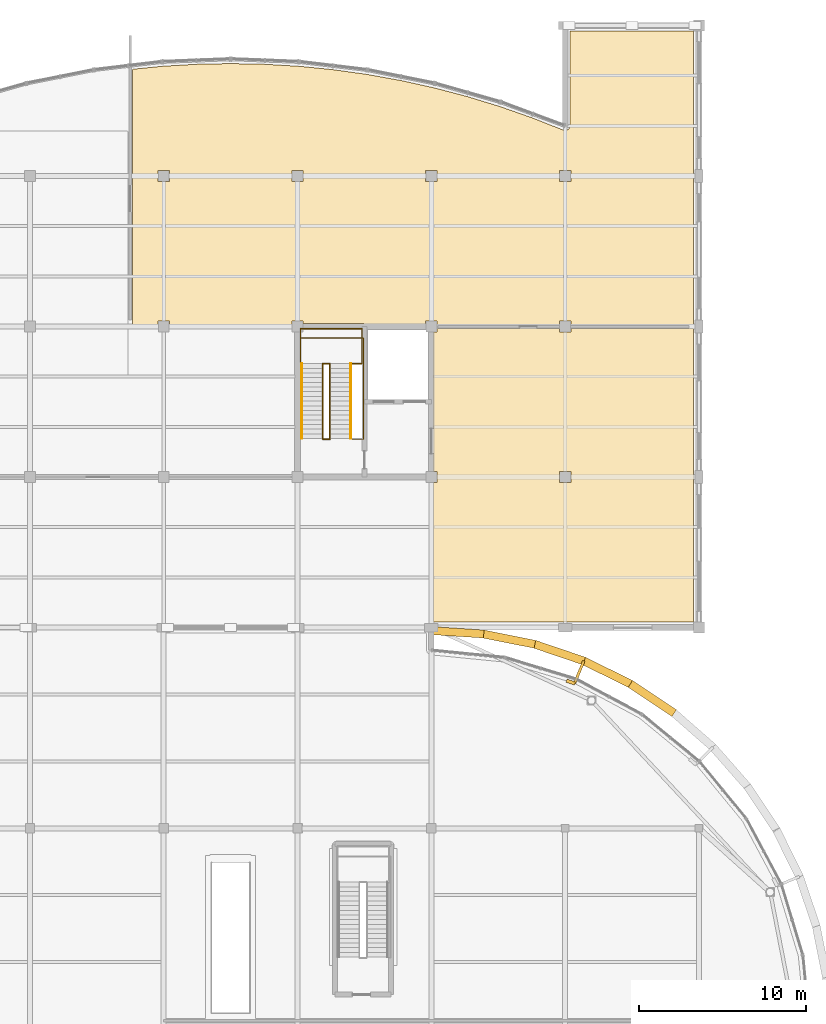
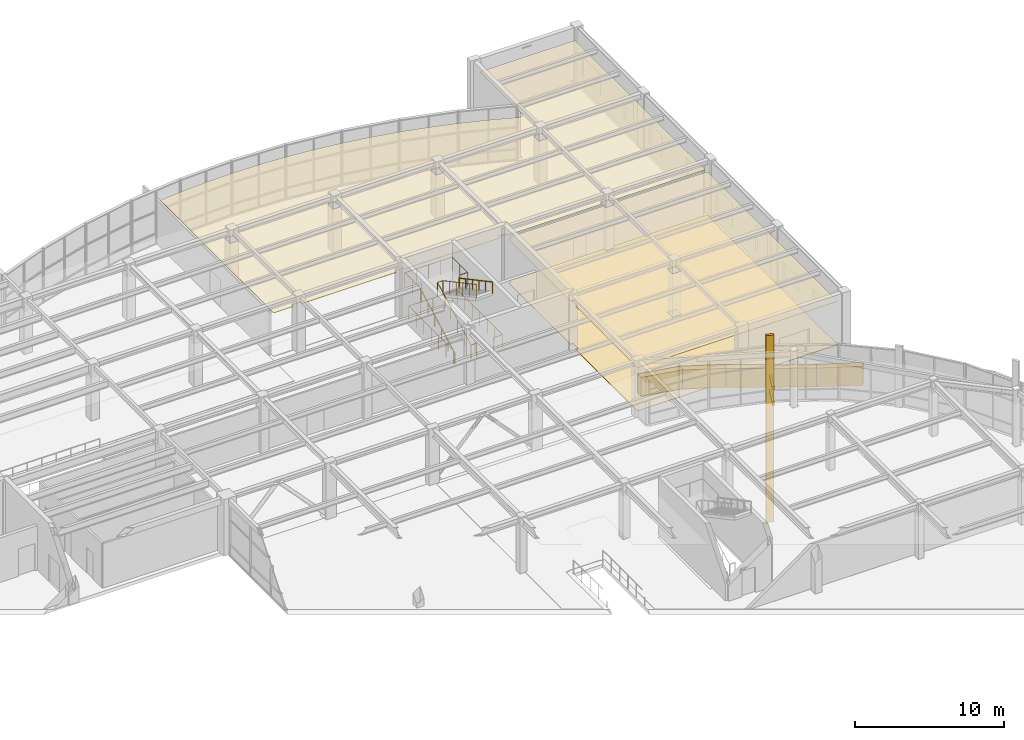
# One storey, part 60 of 63: 11 coverings, 6 railings.
"""IFC4 building model written with IfcOpenShell, lengths in metres."""

from ifc_helpers import new_model, si_unit, direction, frame, frame_2d, origin, origin_2d, place, context, subcontext, project, spatial, polyline, rectangle, circle, outline, extrude, material, layer, layer_set, type_object, element, save


model = new_model("IFC4")

# Units and contexts
model_context = context("Model", 3, precision=1e-05, world=origin(), true_north=direction((0.0, 1.0)))
body_context = subcontext(model_context, "Body", "Model", "MODEL_VIEW")
ifc_project = project(units=[si_unit("LENGTHUNIT", "METRE"), si_unit("AREAUNIT", "SQUARE_METRE"), si_unit("VOLUMEUNIT", "CUBIC_METRE"), si_unit("PLANEANGLEUNIT", "RADIAN"), si_unit("MASSUNIT", "GRAM", prefix="KILO")], contexts=[model_context])

# Site, building, storey
site_placement = place(None, origin())
site = spatial("IfcSite", under=ifc_project, at=site_placement, CompositionType="ELEMENT")
building_placement = place(site_placement, origin())
building = spatial("IfcBuilding", under=site, at=building_placement, Name="Keelwater Ferry Terminal", CompositionType="ELEMENT")
storey_placement = place(building_placement, frame((0.0, 0.0, 10.199951171875)))
storey = spatial("IfcBuildingStorey", under=building, at=storey_placement, Name="L02", CompositionType="ELEMENT", Elevation=10.199951171875)

# Coverings
ifc_material_1 = material(Name="Perforated acoustic gypsum board ceiling", Category="gypsum")
ifc_layer_1 = layer(ifc_material_1, 0.044921875)
ifc_layer_set_1 = layer_set([ifc_layer_1], Name="Perforated acoustic gypsum board ceiling")
covering_type_1 = type_object("IfcCoveringType", Name="CL-AC Acoustic Baffle Ceiling", PredefinedType="CEILING", material=ifc_layer_set_1)
covering_1_placement = place(storey_placement, frame((0.0, 0.0, 3.550048828125)))
element("IfcCovering", 1, at=covering_1_placement, inside=storey, type_object=covering_type_1, Name="Harbour Bistro Acoustic Ceiling", PredefinedType="CEILING", context=body_context, shape_type="SweptSolid", body=[
    extrude(outline(polyline([(149.95703125, 123.678955078125), (149.9599609375, 123.678955078125), (151.47509765625, 123.708984375), (152.0, 123.719970703125), (152.52490234375, 123.708984375), (154.0400390625, 123.678955078125), (154.04296875, 123.678955078125), (156.0791015625, 123.55908203125), (156.08203125, 123.55908203125), (158.10888671875, 123.35791015625), (158.112060546875, 123.35693359375), (160.132080078125, 123.075927734375), (160.135009765625, 123.075927734375), (162.10888671875, 122.720947265625), (162.14208984375, 122.716064453125), (162.14404296875, 122.715087890625), (162.263916015625, 122.68896484375), (164.136962890625, 122.27587890625), (166.112060546875, 121.758056640625), (168.06494140625, 121.162109375), (168.804931640625, 120.904052734375), (169.990966796875, 120.489990234375), (169.993896484375, 120.488037109375), (171.89208984375, 119.741943359375), (171.89208984375, 119.740966796875), (171.89697265625, 119.739013671875), (171.923095703125, 119.73095703125), (171.949951171875, 119.72509765625), (171.97705078125, 119.720947265625), (172.00390625, 119.719970703125), (172.031005859375, 119.721923828125), (172.05810546875, 119.72607421875), (172.083984375, 119.73291015625), (172.110107421875, 119.741943359375), (172.134033203125, 119.75390625), (172.156005859375, 119.76806640625), (172.157958984375, 119.76904296875), (172.158935546875, 119.77001953125), (172.178955078125, 119.784912109375), (172.198974609375, 119.802978515625), (172.218017578125, 119.823974609375), (172.23388671875, 119.845947265625), (172.248046875, 119.868896484375), (172.259033203125, 119.89404296875), (172.26806640625, 119.9189453125), (172.27490234375, 119.946044921875), (172.279052734375, 119.972900390625), (172.280029296875, 120.0), (172.280029296875, 125.60009765625), (172.280029296875, 125.60009765625), (172.280029296875, 125.60791015625), (172.281982421875, 125.615966796875), (172.282958984375, 125.623046875), (172.285888671875, 125.631103515625), (172.2890625, 125.637939453125), (172.29296875, 125.64404296875), (172.298095703125, 125.65087890625), (172.302978515625, 125.656982421875), (172.30908203125, 125.662109375), (172.31591796875, 125.6669921875), (172.322021484375, 125.6708984375), (172.3291015625, 125.674072265625), (172.3369140625, 125.677001953125), (172.343994140625, 125.677978515625), (172.35205078125, 125.679931640625), (172.360107421875, 125.679931640625), (179.60009765625, 125.679931640625), (179.60791015625, 125.679931640625), (179.615966796875, 125.677978515625), (179.623046875, 125.677001953125), (179.631103515625, 125.674072265625), (179.637939453125, 125.6708984375), (179.64404296875, 125.6669921875), (179.65087890625, 125.662109375), (179.656982421875, 125.656982421875), (179.662109375, 125.65087890625), (179.6669921875, 125.64404296875), (179.6708984375, 125.637939453125), (179.674072265625, 125.631103515625), (179.677001953125, 125.623046875), (179.677978515625, 125.615966796875), (179.679931640625, 125.60791015625), (179.679931640625, 125.60009765625), (179.679931640625, 108.199951171875), (179.679931640625, 108.19189453125), (179.677978515625, 108.18408203125), (179.677001953125, 108.177001953125), (179.674072265625, 108.1689453125), (179.6708984375, 108.162109375), (179.6669921875, 108.156005859375), (179.662109375, 108.14892578125), (179.656982421875, 108.14306640625), (179.65087890625, 108.137939453125), (179.64404296875, 108.133056640625), (179.637939453125, 108.12890625), (179.631103515625, 108.1259765625), (179.623046875, 108.123046875), (179.615966796875, 108.1220703125), (179.60791015625, 108.1201171875), (179.60009765625, 108.1201171875), (172.344970703125, 108.1201171875), (172.3369140625, 108.1201171875), (172.3349609375, 108.12109375), (172.3349609375, 108.3349609375), (171.6650390625, 108.3349609375), (171.6650390625, 108.12109375), (171.6630859375, 108.1201171875), (171.655029296875, 108.1201171875), (164.344970703125, 108.1201171875), (164.3369140625, 108.1201171875), (164.3349609375, 108.12109375), (164.3349609375, 108.3349609375), (163.6650390625, 108.3349609375), (163.6650390625, 108.12109375), (163.6630859375, 108.1201171875), (163.655029296875, 108.1201171875), (160.072998046875, 108.1201171875), (160.055908203125, 108.133056640625), (160.031982421875, 108.14697265625), (160.007080078125, 108.158935546875), (159.98095703125, 108.16796875), (159.955078125, 108.175048828125), (159.927001953125, 108.178955078125), (159.89990234375, 108.179931640625), (156.3349609375, 108.179931640625), (156.3349609375, 108.3349609375), (155.6650390625, 108.3349609375), (155.6650390625, 108.12109375), (155.6630859375, 108.1201171875), (155.655029296875, 108.1201171875), (148.344970703125, 108.1201171875), (148.3369140625, 108.1201171875), (148.3349609375, 108.12109375), (148.3349609375, 108.3349609375), (147.6650390625, 108.3349609375), (147.6650390625, 108.12109375), (147.6630859375, 108.1201171875), (147.655029296875, 108.1201171875), (146.199951171875, 108.1201171875), (146.19189453125, 108.1201171875), (146.18408203125, 108.1220703125), (146.177001953125, 108.123046875), (146.1689453125, 108.1259765625), (146.162109375, 108.12890625), (146.156005859375, 108.133056640625), (146.14892578125, 108.137939453125), (146.14306640625, 108.14306640625), (146.137939453125, 108.14892578125), (146.133056640625, 108.156005859375), (146.12890625, 108.162109375), (146.1259765625, 108.1689453125), (146.123046875, 108.177001953125), (146.1220703125, 108.18408203125), (146.1201171875, 108.19189453125), (146.1201171875, 108.199951171875), (146.1201171875, 123.30810546875), (146.1201171875, 123.31591796875), (146.1220703125, 123.323974609375), (146.123046875, 123.3310546875), (146.1259765625, 123.339111328125), (146.12890625, 123.345947265625), (146.133056640625, 123.35205078125), (146.137939453125, 123.35888671875), (146.14306640625, 123.364990234375), (146.14892578125, 123.3701171875), (146.156005859375, 123.375), (146.162109375, 123.37890625), (146.1689453125, 123.382080078125), (146.177001953125, 123.385009765625), (146.18408203125, 123.385986328125), (146.19189453125, 123.387939453125), (147.91796875, 123.55908203125), (147.9208984375, 123.55908203125), (149.95703125, 123.678955078125)]), holes=[polyline([(155.6650390625, 117.3349609375), (155.6650390625, 116.6650390625), (156.3349609375, 116.6650390625), (156.3349609375, 117.3349609375), (155.6650390625, 117.3349609375)]), polyline([(147.6650390625, 117.3349609375), (147.6650390625, 116.6650390625), (148.3349609375, 116.6650390625), (148.3349609375, 117.3349609375), (147.6650390625, 117.3349609375)]), polyline([(171.6650390625, 117.3349609375), (171.6650390625, 116.6650390625), (172.3349609375, 116.6650390625), (172.3349609375, 117.3349609375), (171.6650390625, 117.3349609375)]), polyline([(163.6650390625, 117.3349609375), (163.6650390625, 116.6650390625), (164.3349609375, 116.6650390625), (164.3349609375, 117.3349609375), (163.6650390625, 117.3349609375)])]), origin(), (0.0, 0.0, 1.0), 0.044921875),
])
covering_2_placement = place(storey_placement, frame((0.0, 0.0, 3.550048828125)))
element("IfcCovering", 2, at=covering_2_placement, inside=storey, type_object=covering_type_1, Name="Bistro Kitchen and Servery Store Acoustic Ceiling", PredefinedType="CEILING", context=body_context, shape_type="SweptSolid", body=[
    extrude(outline(polyline([(171.6650390625, 107.87890625), (171.6650390625, 107.6650390625), (172.3349609375, 107.6650390625), (172.3349609375, 107.87890625), (172.3369140625, 107.8798828125), (172.344970703125, 107.8798828125), (179.60009765625, 107.8798828125), (179.60791015625, 107.8798828125), (179.615966796875, 107.8779296875), (179.623046875, 107.876953125), (179.631103515625, 107.8740234375), (179.637939453125, 107.87109375), (179.64404296875, 107.866943359375), (179.65087890625, 107.862060546875), (179.656982421875, 107.85693359375), (179.662109375, 107.85107421875), (179.6669921875, 107.843994140625), (179.6708984375, 107.837890625), (179.674072265625, 107.8310546875), (179.677001953125, 107.822998046875), (179.677978515625, 107.81591796875), (179.679931640625, 107.80810546875), (179.679931640625, 107.800048828125), (179.679931640625, 90.39990234375), (179.679931640625, 90.39208984375), (179.677978515625, 90.384033203125), (179.677001953125, 90.376953125), (179.674072265625, 90.368896484375), (179.6708984375, 90.362060546875), (179.6669921875, 90.35595703125), (179.662109375, 90.34912109375), (179.656982421875, 90.343017578125), (179.65087890625, 90.337890625), (179.64404296875, 90.3330078125), (179.637939453125, 90.3291015625), (179.631103515625, 90.325927734375), (179.623046875, 90.322998046875), (179.615966796875, 90.322021484375), (179.60791015625, 90.320068359375), (179.60009765625, 90.320068359375), (164.199951171875, 90.320068359375), (164.19189453125, 90.320068359375), (164.18408203125, 90.322021484375), (164.177001953125, 90.322998046875), (164.1689453125, 90.325927734375), (164.162109375, 90.3291015625), (164.156005859375, 90.3330078125), (164.14892578125, 90.337890625), (164.14306640625, 90.343017578125), (164.137939453125, 90.34912109375), (164.133056640625, 90.35595703125), (164.12890625, 90.362060546875), (164.1259765625, 90.368896484375), (164.123046875, 90.376953125), (164.1220703125, 90.384033203125), (164.1201171875, 90.39208984375), (164.1201171875, 90.39990234375), (164.1201171875, 98.655029296875), (164.1201171875, 98.6630859375), (164.12109375, 98.6650390625), (164.3349609375, 98.6650390625), (164.3349609375, 99.3349609375), (164.12109375, 99.3349609375), (164.1201171875, 99.3369140625), (164.1201171875, 99.344970703125), (164.1201171875, 107.655029296875), (164.1201171875, 107.6630859375), (164.12109375, 107.6650390625), (164.3349609375, 107.6650390625), (164.3349609375, 107.87890625), (164.3369140625, 107.8798828125), (164.344970703125, 107.8798828125), (171.655029296875, 107.8798828125), (171.6630859375, 107.8798828125), (171.6650390625, 107.87890625)]), holes=[polyline([(171.6650390625, 99.3349609375), (171.6650390625, 98.6650390625), (172.3349609375, 98.6650390625), (172.3349609375, 99.3349609375), (171.6650390625, 99.3349609375)])]), origin(), (0.0, 0.0, 1.0), 0.044921875),
])
ifc_material_2 = material(Name="Polished mineral terrazzo tile", Category="stone")
ifc_layer_2 = layer(ifc_material_2, 0.030029296875)
ifc_layer_set_2 = layer_set([ifc_layer_2], Name="Polished mineral terrazzo tile")
covering_type_2 = type_object("IfcCoveringType", Name="FL-TZ Marine Terrazzo Flooring", PredefinedType="FLOORING", material=ifc_layer_set_2)
covering_3_placement = place(storey_placement, origin())
element("IfcCovering", 3, at=covering_3_placement, inside=storey, type_object=covering_type_2, Name="Bistro Kitchen and Servery Store Terrazzo Floor", PredefinedType="FLOORING", context=body_context, shape_type="SweptSolid", body=[
    extrude(outline(polyline([(171.6650390625, 107.87890625), (171.6650390625, 107.6650390625), (172.3349609375, 107.6650390625), (172.3349609375, 107.87890625), (172.3369140625, 107.8798828125), (172.344970703125, 107.8798828125), (179.60009765625, 107.8798828125), (179.60791015625, 107.8798828125), (179.615966796875, 107.8779296875), (179.623046875, 107.876953125), (179.631103515625, 107.8740234375), (179.637939453125, 107.87109375), (179.64404296875, 107.866943359375), (179.65087890625, 107.862060546875), (179.656982421875, 107.85693359375), (179.662109375, 107.85107421875), (179.6669921875, 107.843994140625), (179.6708984375, 107.837890625), (179.674072265625, 107.8310546875), (179.677001953125, 107.822998046875), (179.677978515625, 107.81591796875), (179.679931640625, 107.80810546875), (179.679931640625, 107.800048828125), (179.679931640625, 90.39990234375), (179.679931640625, 90.39208984375), (179.677978515625, 90.384033203125), (179.677001953125, 90.376953125), (179.674072265625, 90.368896484375), (179.6708984375, 90.362060546875), (179.6669921875, 90.35595703125), (179.662109375, 90.34912109375), (179.656982421875, 90.343017578125), (179.65087890625, 90.337890625), (179.64404296875, 90.3330078125), (179.637939453125, 90.3291015625), (179.631103515625, 90.325927734375), (179.623046875, 90.322998046875), (179.615966796875, 90.322021484375), (179.60791015625, 90.320068359375), (179.60009765625, 90.320068359375), (164.199951171875, 90.320068359375), (164.19189453125, 90.320068359375), (164.18408203125, 90.322021484375), (164.177001953125, 90.322998046875), (164.1689453125, 90.325927734375), (164.162109375, 90.3291015625), (164.156005859375, 90.3330078125), (164.14892578125, 90.337890625), (164.14306640625, 90.343017578125), (164.137939453125, 90.34912109375), (164.133056640625, 90.35595703125), (164.12890625, 90.362060546875), (164.1259765625, 90.368896484375), (164.123046875, 90.376953125), (164.1220703125, 90.384033203125), (164.1201171875, 90.39208984375), (164.1201171875, 90.39990234375), (164.1201171875, 98.655029296875), (164.1201171875, 98.6630859375), (164.12109375, 98.6650390625), (164.3349609375, 98.6650390625), (164.3349609375, 99.3349609375), (164.12109375, 99.3349609375), (164.1201171875, 99.3369140625), (164.1201171875, 99.344970703125), (164.1201171875, 107.655029296875), (164.1201171875, 107.6630859375), (164.12109375, 107.6650390625), (164.3349609375, 107.6650390625), (164.3349609375, 107.87890625), (164.3369140625, 107.8798828125), (164.344970703125, 107.8798828125), (171.655029296875, 107.8798828125), (171.6630859375, 107.8798828125), (171.6650390625, 107.87890625)]), holes=[polyline([(171.6650390625, 99.3349609375), (171.6650390625, 98.6650390625), (172.3349609375, 98.6650390625), (172.3349609375, 99.3349609375), (171.6650390625, 99.3349609375)])]), origin(), (0.0, 0.0, 1.0), 0.030029296875),
])

# Railings
ifc_material_3 = material(Name="Painted Steel S355", Category="steel")
railing_type_1 = type_object("IfcRailingType", Name="GR-115 Stair Well Guardrail", PredefinedType="GUARDRAIL", material=ifc_material_3)
railing_1_placement = place(storey_placement, frame((157.510009765625, 101.260009765625, 0.0)))
element("IfcRailing", 4, at=railing_1_placement, inside=storey, type_object=railing_type_1, Name="Stair ST-C3-L01 Slot Threshold Guard 51", PredefinedType="GUARDRAIL", context=body_context, shape_type="SweptSolid", body=[
    extrude(circle(Radius=0.02392578125, at=origin_2d()), frame((0.0, 0.0, 1.1259765625), z_axis=(1.0, 0.0, 0.0), x_axis=(0.0, 1.0, 0.0)), (0.0, 0.0, 1.0), 0.419921875),
    extrude(circle(Radius=0.02099609375, at=origin_2d()), origin(), (0.0, 0.0, 1.0), 1.101806640625),
    extrude(circle(Radius=0.02099609375, at=origin_2d()), frame((0.419921875, 0.0, 0.0)), (0.0, 0.0, 1.0), 1.101806640625),
])
railing_2_placement = place(storey_placement, frame((156.159912109375, 101.300048828125, 0.0)))
element("IfcRailing", 5, at=railing_2_placement, inside=storey, type_object=railing_type_1, Name="Stair ST-C3-L01 Shaft Perimeter Guard 52", PredefinedType="GUARDRAIL", context=body_context, shape_type="SweptSolid", body=[
    extrude(circle(Radius=0.02392578125, at=origin_2d()), frame((0.0, 0.0, 1.1259765625), z_axis=(0.0, 1.0, 0.0), x_axis=(-1.0, 0.0, 0.0)), (0.0, 0.0, 1.0), 6.02001953125),
    extrude(circle(Radius=0.02392578125, at=origin_2d()), frame((0.0, 6.02001953125, 1.1259765625), z_axis=(1.0, 0.0, 0.0), x_axis=(0.0, 1.0, 0.0)), (0.0, 0.0, 1.0), 3.780029296875),
    extrude(circle(Radius=0.02392578125, at=origin_2d()), frame((3.780029296875, 6.02001953125, 1.1259765625), z_axis=(0.0, -1.0, 0.0), x_axis=(1.0, 0.0, 0.0)), (0.0, 0.0, 1.0), 6.06005859375),
    extrude(circle(Radius=0.02392578125, at=origin_2d()), frame((3.780029296875, -0.0400390625, 1.1259765625), z_axis=(-1.0, 0.0, 0.0), x_axis=(0.0, -1.0, 0.0)), (0.0, 0.0, 1.0), 0.699951171875),
    extrude(circle(Radius=0.02099609375, at=origin_2d()), origin(), (0.0, 0.0, 1.0), 1.101806640625),
    extrude(circle(Radius=0.02099609375, at=origin_2d()), frame((0.0, 1.00341796875, 0.0)), (0.0, 0.0, 1.0), 1.101806640625),
    extrude(circle(Radius=0.02099609375, at=origin_2d()), frame((0.0, 2.006591796875, 0.0)), (0.0, 0.0, 1.0), 1.101806640625),
    extrude(circle(Radius=0.02099609375, at=origin_2d()), frame((0.0, 3.010009765625, 0.0)), (0.0, 0.0, 1.0), 1.101806640625),
    extrude(circle(Radius=0.02099609375, at=origin_2d()), frame((0.0, 4.013427734375, 0.0)), (0.0, 0.0, 1.0), 1.101806640625),
    extrude(circle(Radius=0.02099609375, at=origin_2d()), frame((0.0, 5.0166015625, 0.0)), (0.0, 0.0, 1.0), 1.101806640625),
    extrude(circle(Radius=0.02099609375, at=origin_2d()), frame((0.0, 6.02001953125, 0.0)), (0.0, 0.0, 1.0), 1.101806640625),
    extrude(circle(Radius=0.02099609375, at=origin_2d()), frame((0.945068359375, 6.02001953125, 0.0)), (0.0, 0.0, 1.0), 1.101806640625),
    extrude(circle(Radius=0.02099609375, at=origin_2d()), frame((1.89013671875, 6.02001953125, 0.0)), (0.0, 0.0, 1.0), 1.101806640625),
    extrude(circle(Radius=0.02099609375, at=origin_2d()), frame((2.8349609375, 6.02001953125, 0.0)), (0.0, 0.0, 1.0), 1.101806640625),
    extrude(circle(Radius=0.02099609375, at=origin_2d()), frame((3.780029296875, 6.02001953125, 0.0)), (0.0, 0.0, 1.0), 1.101806640625),
    extrude(circle(Radius=0.02099609375, at=origin_2d()), frame((3.780029296875, 5.010009765625, 0.0)), (0.0, 0.0, 1.0), 1.101806640625),
    extrude(circle(Radius=0.02099609375, at=origin_2d()), frame((3.780029296875, 4.0, 0.0)), (0.0, 0.0, 1.0), 1.101806640625),
    extrude(circle(Radius=0.02099609375, at=origin_2d()), frame((3.780029296875, 2.989990234375, 0.0)), (0.0, 0.0, 1.0), 1.101806640625),
    extrude(circle(Radius=0.02099609375, at=origin_2d()), frame((3.780029296875, 1.97998046875, 0.0)), (0.0, 0.0, 1.0), 1.101806640625),
    extrude(circle(Radius=0.02099609375, at=origin_2d()), frame((3.780029296875, 0.969970703125, 0.0)), (0.0, 0.0, 1.0), 1.101806640625),
    extrude(circle(Radius=0.02099609375, at=origin_2d()), frame((3.780029296875, -0.0400390625, 0.0)), (0.0, 0.0, 1.0), 1.101806640625),
    extrude(circle(Radius=0.02099609375, at=origin_2d()), frame((3.080078125, -0.0400390625, 0.0)), (0.0, 0.0, 1.0), 1.101806640625),
])
railing_3_placement = place(storey_placement, frame((157.510009765625, 101.300048828125, 0.0)))
element("IfcRailing", 6, at=railing_3_placement, inside=storey, type_object=railing_type_1, Name="Stair ST-C3-L02 Inner Well Guard 53", PredefinedType="GUARDRAIL", context=body_context, shape_type="SweptSolid", body=[
    extrude(circle(Radius=0.02392578125, at=origin_2d()), frame((0.0, 0.0, 1.1259765625), z_axis=(0.0, 0.881467115574, 0.472245406714), x_axis=(-1.0, 0.0, 0.0)), (0.0, 0.0, 1.0), 5.08251953125),
    extrude(circle(Radius=0.02392578125, at=origin_2d()), frame((0.0, 4.47998046875, 3.52587890625), z_axis=(1.0, 0.0, 0.0), x_axis=(0.0, 1.0, 0.0)), (0.0, 0.0, 1.0), 0.419921875),
    extrude(circle(Radius=0.02392578125, at=origin_2d()), frame((0.419921875, 4.47998046875, 3.52587890625), z_axis=(0.0, -0.881487111273, 0.472208081951), x_axis=(1.0, 0.0, 0.0)), (0.0, 0.0, 1.0), 5.082275390625),
    extrude(circle(Radius=0.02099609375, at=origin_2d()), origin(), (0.0, 0.0, 1.0), 1.101806640625),
    extrude(circle(Radius=0.02099609375, at=origin_2d()), frame((0.0, 0.89599609375, 0.47998046875)), (0.0, 0.0, 1.0), 1.101806640625),
    extrude(circle(Radius=0.02099609375, at=origin_2d()), frame((0.0, 1.7919921875, 0.9599609375)), (0.0, 0.0, 1.0), 1.101806640625),
    extrude(circle(Radius=0.02099609375, at=origin_2d()), frame((0.0, 2.68798828125, 1.440185546875)), (0.0, 0.0, 1.0), 1.101806640625),
    extrude(circle(Radius=0.02099609375, at=origin_2d()), frame((0.0, 3.583984375, 1.920166015625)), (0.0, 0.0, 1.0), 1.101806640625),
    extrude(circle(Radius=0.02099609375, at=origin_2d()), frame((0.0, 4.47998046875, 2.400146484375)), (0.0, 0.0, 1.0), 1.101806640625),
    extrude(circle(Radius=0.02099609375, at=origin_2d()), frame((0.419921875, 4.47998046875, 2.400146484375)), (0.0, 0.0, 1.0), 1.101806640625),
    extrude(circle(Radius=0.02099609375, at=origin_2d()), frame((0.419921875, 3.583984375, 2.880126953125)), (0.0, 0.0, 1.0), 1.101806640625),
    extrude(circle(Radius=0.02099609375, at=origin_2d()), frame((0.419921875, 2.68798828125, 3.360107421875)), (0.0, 0.0, 1.0), 1.101806640625),
    extrude(circle(Radius=0.02099609375, at=origin_2d()), frame((0.419921875, 1.7919921875, 3.840087890625)), (0.0, 0.0, 1.0), 1.101806640625),
    extrude(circle(Radius=0.02099609375, at=origin_2d()), frame((0.419921875, 0.89599609375, 4.320068359375)), (0.0, 0.0, 1.0), 1.101806640625),
    extrude(circle(Radius=0.02099609375, at=origin_2d()), frame((0.419921875, 0.0, 4.800048828125)), (0.0, 0.0, 1.0), 1.101806640625),
])
railing_4_placement = place(storey_placement, frame((156.199951171875, 105.780029296875, 2.400146484375)))
element("IfcRailing", 7, at=railing_4_placement, inside=storey, type_object=railing_type_1, Name="Stair ST-C3-L02 Half-Landing Guard 54", PredefinedType="GUARDRAIL", context=body_context, shape_type="SweptSolid", body=[
    extrude(circle(Radius=0.02392578125, at=origin_2d()), frame((0.0, 0.0, 1.1259765625), z_axis=(-1.0, 0.0, 0.0), x_axis=(0.0, -1.0, 0.0)), (0.0, 0.0, 1.0), 0.02001953125),
    extrude(circle(Radius=0.02392578125, at=origin_2d()), frame((-0.02001953125, 0.0, 1.1259765625), z_axis=(0.0, 1.0, 0.0), x_axis=(-1.0, 0.0, 0.0)), (0.0, 0.0, 1.0), 2.090087890625),
    extrude(circle(Radius=0.02392578125, at=origin_2d()), frame((-0.02001953125, 2.090087890625, 1.1259765625), z_axis=(1.0, 0.0, 0.0), x_axis=(0.0, 1.0, 0.0)), (0.0, 0.0, 1.0), 3.670166015625),
    extrude(circle(Radius=0.02392578125, at=origin_2d()), frame((3.650146484375, 2.090087890625, 1.1259765625), z_axis=(0.0, -1.0, 0.0), x_axis=(1.0, 0.0, 0.0)), (0.0, 0.0, 1.0), 2.090087890625),
    extrude(circle(Radius=0.02392578125, at=origin_2d()), frame((3.650146484375, 0.0, 1.1259765625), z_axis=(-1.0, 0.0, 0.0), x_axis=(0.0, -1.0, 0.0)), (0.0, 0.0, 1.0), 0.610107421875),
    extrude(circle(Radius=0.02099609375, at=origin_2d()), origin(), (0.0, 0.0, 1.0), 1.101806640625),
    extrude(circle(Radius=0.02099609375, at=origin_2d()), frame((-0.02001953125, 0.0, 0.0)), (0.0, 0.0, 1.0), 1.101806640625),
    extrude(circle(Radius=0.02099609375, at=origin_2d()), frame((-0.02001953125, 1.044921875, 0.0)), (0.0, 0.0, 1.0), 1.101806640625),
    extrude(circle(Radius=0.02099609375, at=origin_2d()), frame((-0.02001953125, 2.090087890625, 0.0)), (0.0, 0.0, 1.0), 1.101806640625),
    extrude(circle(Radius=0.02099609375, at=origin_2d()), frame((0.8974609375, 2.090087890625, 0.0)), (0.0, 0.0, 1.0), 1.101806640625),
    extrude(circle(Radius=0.02099609375, at=origin_2d()), frame((1.81494140625, 2.090087890625, 0.0)), (0.0, 0.0, 1.0), 1.101806640625),
    extrude(circle(Radius=0.02099609375, at=origin_2d()), frame((2.732666015625, 2.090087890625, 0.0)), (0.0, 0.0, 1.0), 1.101806640625),
    extrude(circle(Radius=0.02099609375, at=origin_2d()), frame((3.650146484375, 2.090087890625, 0.0)), (0.0, 0.0, 1.0), 1.101806640625),
    extrude(circle(Radius=0.02099609375, at=origin_2d()), frame((3.650146484375, 1.044921875, 0.0)), (0.0, 0.0, 1.0), 1.101806640625),
    extrude(circle(Radius=0.02099609375, at=origin_2d()), frame((3.650146484375, 0.0, 0.0)), (0.0, 0.0, 1.0), 1.101806640625),
    extrude(circle(Radius=0.02099609375, at=origin_2d()), frame((3.0400390625, 0.0, 0.0)), (0.0, 0.0, 1.0), 1.101806640625),
])
ifc_material_4 = material(Name="Brushed stainless steel handrail", Category="steel")
railing_type_2 = type_object("IfcRailingType", Name="HR-920 Stair Pitch Handrail", PredefinedType="HANDRAIL", material=ifc_material_4)
railing_5_placement = place(storey_placement, frame((156.260009765625, 101.300048828125, 0.0)))
element("IfcRailing", 8, at=railing_5_placement, inside=storey, type_object=railing_type_2, Name="Stair ST-C3-L02 Flight 1 Handrail 55", PredefinedType="HANDRAIL", context=body_context, shape_type="SweptSolid", body=[
    extrude(circle(Radius=0.02392578125, at=origin_2d()), frame((0.0, 0.0, 0.89599609375), z_axis=(0.0, 0.881467115574, 0.472245406714), x_axis=(-1.0, 0.0, 0.0)), (0.0, 0.0, 1.0), 5.08251953125),
    extrude(circle(Radius=0.02099609375, at=origin_2d()), origin(), (0.0, 0.0, 1.0), 0.871826171875),
    extrude(circle(Radius=0.02099609375, at=origin_2d()), frame((0.0, 0.89599609375, 0.47998046875)), (0.0, 0.0, 1.0), 0.871826171875),
    extrude(circle(Radius=0.02099609375, at=origin_2d()), frame((0.0, 1.7919921875, 0.9599609375)), (0.0, 0.0, 1.0), 0.871826171875),
    extrude(circle(Radius=0.02099609375, at=origin_2d()), frame((0.0, 2.68798828125, 1.440185546875)), (0.0, 0.0, 1.0), 0.871826171875),
    extrude(circle(Radius=0.02099609375, at=origin_2d()), frame((0.0, 3.583984375, 1.920166015625)), (0.0, 0.0, 1.0), 0.871826171875),
    extrude(circle(Radius=0.02099609375, at=origin_2d()), frame((0.0, 4.47998046875, 2.400146484375)), (0.0, 0.0, 1.0), 0.871826171875),
])
railing_6_placement = place(storey_placement, frame((159.179931640625, 105.780029296875, 2.400146484375)))
element("IfcRailing", 9, at=railing_6_placement, inside=storey, type_object=railing_type_2, Name="Stair ST-C3-L02 Flight 2 Handrail 56", PredefinedType="HANDRAIL", context=body_context, shape_type="SweptSolid", body=[
    extrude(circle(Radius=0.02392578125, at=origin_2d()), frame((0.0, 0.0, 0.89599609375), z_axis=(0.0, -0.881487111273, 0.472208081951), x_axis=(1.0, 0.0, 0.0)), (0.0, 0.0, 1.0), 5.082275390625),
    extrude(circle(Radius=0.02099609375, at=origin_2d()), origin(), (0.0, 0.0, 1.0), 0.871826171875),
    extrude(circle(Radius=0.02099609375, at=origin_2d()), frame((0.0, -0.89599609375, 0.47998046875)), (0.0, 0.0, 1.0), 0.871826171875),
    extrude(circle(Radius=0.02099609375, at=origin_2d()), frame((0.0, -1.7919921875, 0.9599609375)), (0.0, 0.0, 1.0), 0.871826171875),
    extrude(circle(Radius=0.02099609375, at=origin_2d()), frame((0.0, -2.68798828125, 1.43994140625)), (0.0, 0.0, 1.0), 0.871826171875),
    extrude(circle(Radius=0.02099609375, at=origin_2d()), frame((0.0, -3.583984375, 1.919921875)), (0.0, 0.0, 1.0), 0.871826171875),
    extrude(circle(Radius=0.02099609375, at=origin_2d()), frame((0.0, -4.47998046875, 2.39990234375)), (0.0, 0.0, 1.0), 0.871826171875),
])

# Coverings
ifc_material_5 = material(Name="Matte white architectural aluminium fascia ribbon", Category="aluminium")
ifc_layer_3 = layer(ifc_material_5, 0.1201171875)
ifc_layer_set_3 = layer_set([ifc_layer_3], Name="Matte white architectural aluminium fascia ribbon")
covering_type_3 = type_object("IfcCoveringType", Name="RB-WHT Matte White Fascia Ribbon", PredefinedType="CLADDING", material=ifc_layer_set_3)
covering_4_placement = place(storey_placement, frame((178.52197265625, 84.884033203125, 0.2861328125), z_axis=(0.0, 0.0, 1.0), x_axis=(-0.831516144614, 0.55550058618, 0.0)))
element("IfcCovering", 10, at=covering_4_placement, inside=storey, type_object=covering_type_3, Name="Concourse Upper Wave Fascia Ribbon 747", PredefinedType="CLADDING", context=body_context, shape_type="SweptSolid", body=[
    extrude(outline(polyline([(0.0, 0.27197265625), (3.16650390625, 0.0), (3.16650390625, 1.5498046875), (0.0, 1.822021484375), (0.0, 0.27197265625)])), frame((0.0, 0.239990234375, 0.0), z_axis=(0.0, -1.0, 0.0), x_axis=(1.0, 0.0, 0.0)), (0.0, 0.0, 1.0), 0.47998046875),
])
covering_5_placement = place(storey_placement, frame((175.931884765625, 86.617919921875, 0.2861328125), z_axis=(0.0, 0.0, 1.0), x_axis=(-0.896790782987, 0.442454846905, 0.0)))
element("IfcCovering", 11, at=covering_5_placement, inside=storey, type_object=covering_type_3, Name="Concourse Upper Wave Fascia Ribbon 751", PredefinedType="CLADDING", context=body_context, shape_type="SweptSolid", body=[
    extrude(outline(polyline([(0.0, 0.0), (3.16455078125, 0.100830078125), (3.16455078125, 1.65087890625), (0.0, 1.5498046875), (0.0, 0.0)])), frame((0.0, 0.239990234375, 0.0), z_axis=(0.0, -1.0, 0.0), x_axis=(1.0, 0.0, 0.0)), (0.0, 0.0, 1.0), 0.47998046875),
])
covering_6_placement = place(storey_placement, frame((173.139892578125, 87.9990234375, 0.386962890625), z_axis=(0.0, 0.0, 1.0), x_axis=(-0.94701262585, 0.321196336342, 0.0)))
element("IfcCovering", 12, at=covering_6_placement, inside=storey, type_object=covering_type_3, Name="Concourse Upper Wave Fascia Ribbon 755", PredefinedType="CLADDING", context=body_context, shape_type="SweptSolid", body=[
    extrude(outline(polyline([(0.0, 0.0), (3.16650390625, 0.42919921875), (3.16650390625, 1.97900390625), (0.0, 1.550048828125), (0.0, 0.0)])), frame((0.0, 0.239990234375, 0.0), z_axis=(0.0, -1.0, 0.0), x_axis=(1.0, 0.0, 0.0)), (0.0, 0.0, 1.0), 0.47998046875),
])
covering_7_placement = place(storey_placement, frame((173.115966796875, 88.007080078125, 1.02197265625), z_axis=(0.0, 0.0, 1.0), x_axis=(-0.382594606681, -0.923916320312, 0.0)))
element("IfcCovering", 13, at=covering_7_placement, inside=storey, type_object=covering_type_3, Name="Ribbon Horizontal Tie Bracket 758", PredefinedType="CLADDING", context=body_context, shape_type="SweptSolid", body=[
    extrude(rectangle(XDim=1.450439453125, YDim=0.159912109375, at=frame_2d((0.72509765625, 0.0))), origin(), (0.0, 0.0, 1.0), 0.280029296875),
])
covering_8_placement = place(storey_placement, frame((173.115966796875, 88.007080078125, -0.25), z_axis=(0.0, 0.0, 1.0), x_axis=(-0.382594606681, -0.923916320312, 0.0)))
element("IfcCovering", 14, at=covering_8_placement, inside=storey, type_object=covering_type_3, Name="Ribbon Slab Tie Bracket 760", PredefinedType="CLADDING", context=body_context, shape_type="SweptSolid", body=[
    extrude(rectangle(XDim=1.450439453125, YDim=0.159912109375, at=frame_2d((0.72509765625, 0.0))), origin(), (0.0, 0.0, 1.0), 0.300048828125),
])
covering_9_placement = place(storey_placement, frame((172.5849609375, 86.658935546875, -9.75), z_axis=(0.0, 0.0, 1.0), x_axis=(-0.946497405613, 0.322711420883, 0.0)))
element("IfcCovering", 15, at=covering_9_placement, inside=storey, type_object=covering_type_3, Name="Ribbon Recessed Support Mullion 762", PredefinedType="CLADDING", context=body_context, shape_type="SweptSolid", body=[
    extrude(outline(polyline([(0.0, 0.0), (0.5302734375, 0.0), (0.5302734375, 15.345947265625), (0.0, 15.345947265625), (0.0, 0.0)])), frame((0.0, 0.10009765625, 0.0), z_axis=(0.0, -1.0, 0.0), x_axis=(1.0, 0.0, 0.0)), (0.0, 0.0, 1.0), 0.199951171875),
])
covering_10_placement = place(storey_placement, frame((170.18994140625, 89.0029296875, 0.816162109375), z_axis=(0.0, 0.0, 1.0), x_axis=(-0.98076407959, 0.195196875454, 0.0)))
element("IfcCovering", 16, at=covering_10_placement, inside=storey, type_object=covering_type_3, Name="Concourse Upper Wave Fascia Ribbon 765", PredefinedType="CLADDING", context=body_context, shape_type="SweptSolid", body=[
    extrude(outline(polyline([(0.0, 0.0), (3.1669921875, 0.56591796875), (3.1669921875, 2.115966796875), (0.0, 1.5498046875), (0.0, 0.0)])), frame((0.0, 0.239990234375, 0.0), z_axis=(0.0, -1.0, 0.0), x_axis=(1.0, 0.0, 0.0)), (0.0, 0.0, 1.0), 0.47998046875),
])
covering_11_placement = place(storey_placement, frame((167.134033203125, 89.614013671875, 1.382080078125), z_axis=(0.0, 0.0, 1.0), x_axis=(-0.997839082041, 0.065705147067, 0.0)))
element("IfcCovering", 17, at=covering_11_placement, inside=storey, type_object=covering_type_3, Name="Concourse Upper Wave Fascia Ribbon 769", PredefinedType="CLADDING", context=body_context, shape_type="SweptSolid", body=[
    extrude(outline(polyline([(0.0, 0.0), (3.165771484375, 0.344970703125), (3.165771484375, 1.89501953125), (0.0, 1.550048828125), (0.0, 0.0)])), frame((0.0, 0.239990234375, 0.0), z_axis=(0.0, -1.0, 0.0), x_axis=(1.0, 0.0, 0.0)), (0.0, 0.0, 1.0), 0.47998046875),
])

save(model, "model.ifc")
